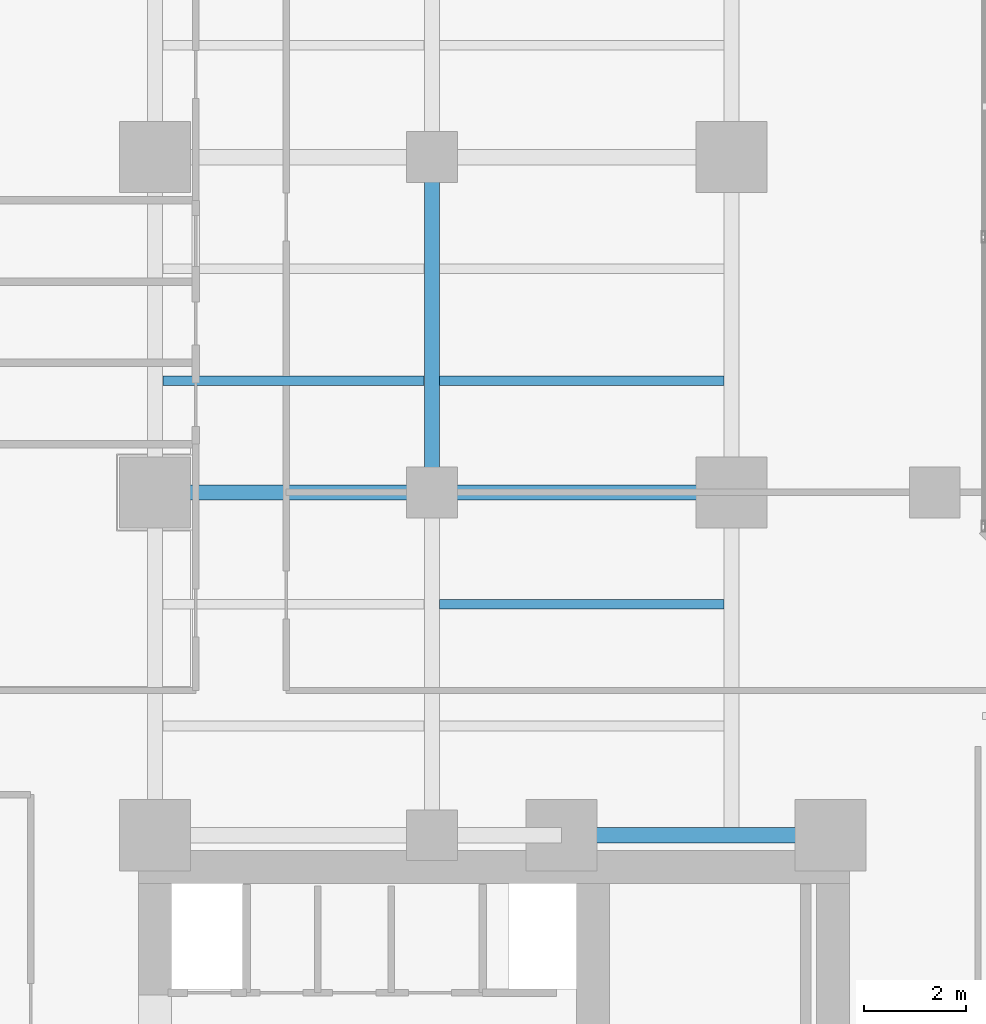
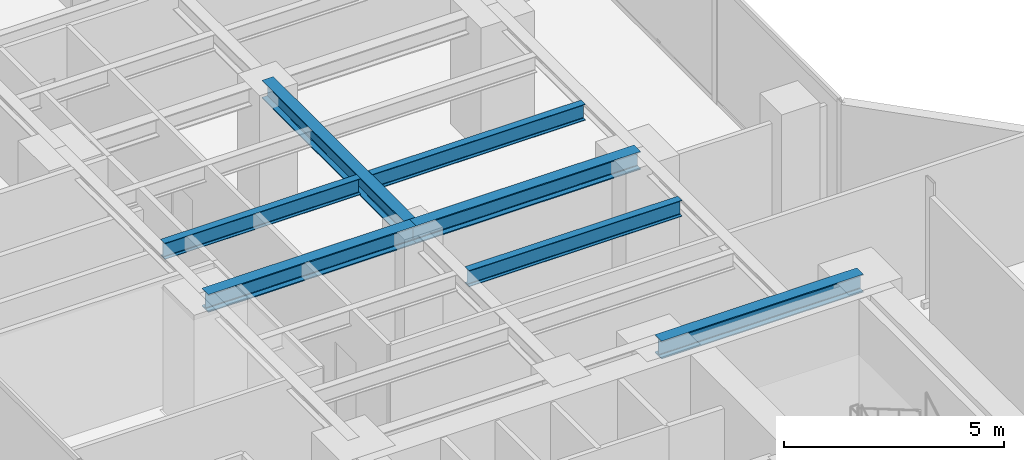
# One storey, part 8 of 25: 7 beams.
"""IFC4 building model written with IfcOpenShell, lengths in metres."""

from ifc_helpers import new_model, si_unit, direction, frame, origin, origin_2d, place, context, subcontext, project, spatial, i_section, extrude, material, material_profile, profile_set, type_object, element, save


model = new_model("IFC4")

# Units and contexts
model_context = context("Model", 3, precision=1e-05, world=origin(), true_north=direction((0.0, 1.0)))
body_context = subcontext(model_context, "Body", "Model", "MODEL_VIEW")
ifc_project = project(units=[si_unit("LENGTHUNIT", "METRE"), si_unit("AREAUNIT", "SQUARE_METRE"), si_unit("VOLUMEUNIT", "CUBIC_METRE"), si_unit("PLANEANGLEUNIT", "RADIAN"), si_unit("MASSUNIT", "GRAM", prefix="KILO")], contexts=[model_context])

# Site, building, storey
site_placement = place(None, origin())
site = spatial("IfcSite", under=ifc_project, at=site_placement, CompositionType="ELEMENT")
building_placement = place(site_placement, origin())
building = spatial("IfcBuilding", under=site, at=building_placement, Name="Kolvaren Waterfront Exchange", CompositionType="ELEMENT")
storey_placement = place(building_placement, frame((0.0, 0.0, 106.89990234375)))
storey = spatial("IfcBuildingStorey", under=building, at=storey_placement, Name="L27", CompositionType="ELEMENT", Elevation=106.89990234375)

# Beams
ifc_material = material(Name="Steel S355", Category="steel")
ifc_material_profile_1 = material_profile(ifc_material, i_section(OverallWidth=0.300048828125, OverallDepth=0.5, WebThickness=0.014404296875, FlangeThickness=0.028076171875, FilletRadius=0.027099609375, at=origin_2d()), Name="HEB500")
ifc_profile_set_1 = profile_set([ifc_material_profile_1], Name="Steel S355")
beam_type_1 = type_object("IfcBeamType", Name="STR-BM-HEB500", PredefinedType="BEAM", material=ifc_profile_set_1)
beam_1_placement = place(storey_placement, frame((15.449951171875, 24.449951171875, 3.25), z_axis=(1.0, 0.0, 0.0), x_axis=(0.0, 1.0, 0.0)))
element("IfcBeam", 1, at=beam_1_placement, inside=storey, type_object=beam_type_1, Name="L27 north-arm girder 1C", PredefinedType="BEAM", context=body_context, shape_type="SweptSolid", body=[
    extrude(i_section(OverallWidth=0.300048828125, OverallDepth=0.5, WebThickness=0.014404296875, FlangeThickness=0.028076171875, FilletRadius=0.027099609375, at=origin_2d()), origin(), (0.0, 0.0, 1.0), 5.300048828125),
])
beam_2_placement = place(storey_placement, frame((7.449951171875, 31.199951171875, 3.25), z_axis=(1.0, 0.0, 0.0), x_axis=(0.0, 1.0, 0.0)))
element("IfcBeam", 2, at=beam_2_placement, inside=storey, type_object=beam_type_1, Name="L27 north-arm girder 2A", PredefinedType="BEAM", context=body_context, shape_type="SweptSolid", body=[
    extrude(i_section(OverallWidth=0.300048828125, OverallDepth=0.5, WebThickness=0.014404296875, FlangeThickness=0.028076171875, FilletRadius=0.027099609375, at=origin_2d()), origin(), (0.0, 0.0, 1.0), 5.449951171875),
])
beam_3_placement = place(storey_placement, frame((12.89990234375, 31.199951171875, 3.25), z_axis=(1.0, 0.0, 0.0), x_axis=(0.0, 1.0, 0.0)))
element("IfcBeam", 3, at=beam_3_placement, inside=storey, type_object=beam_type_1, Name="L27 north-arm girder 2B", PredefinedType="BEAM", context=body_context, shape_type="SweptSolid", body=[
    extrude(i_section(OverallWidth=0.300048828125, OverallDepth=0.5, WebThickness=0.014404296875, FlangeThickness=0.028076171875, FilletRadius=0.027099609375, at=origin_2d()), origin(), (0.0, 0.0, 1.0), 5.900146484375),
])
beam_4_placement = place(storey_placement, frame((12.89990234375, 31.199951171875, 3.25), z_axis=(0.0, 1.0, 0.0), x_axis=(-1.0, 0.0, 0.0)))
element("IfcBeam", 4, at=beam_4_placement, inside=storey, type_object=beam_type_1, Name="L27 north-arm edge beam 2", PredefinedType="BEAM", context=body_context, shape_type="SweptSolid", body=[
    extrude(i_section(OverallWidth=0.300048828125, OverallDepth=0.5, WebThickness=0.014404296875, FlangeThickness=0.028076171875, FilletRadius=0.027099609375, at=origin_2d()), origin(), (0.0, 0.0, 1.0), 6.60009765625),
])
ifc_material_profile_2 = material_profile(ifc_material, i_section(OverallWidth=0.18994140625, OverallDepth=0.449951171875, WebThickness=0.009521484375, FlangeThickness=0.0146484375, FilletRadius=0.02099609375, at=origin_2d()), Name="IPE450")
ifc_profile_set_2 = profile_set([ifc_material_profile_2], Name="Steel S355")
beam_type_2 = type_object("IfcBeamType", Name="STR-BM-IPE450", PredefinedType="JOIST", material=ifc_profile_set_2)
beam_5_placement = place(storey_placement, frame((13.052001953125, 29.0, 3.275146484375), z_axis=(1.0, 0.0, 0.0), x_axis=(0.0, 1.0, 0.0)))
element("IfcBeam", 5, at=beam_5_placement, inside=storey, type_object=beam_type_2, Name="L27 north-arm composite joist 2B", PredefinedType="JOIST", context=body_context, shape_type="SweptSolid", body=[
    extrude(i_section(OverallWidth=0.18994140625, OverallDepth=0.449951171875, WebThickness=0.009521484375, FlangeThickness=0.0146484375, FilletRadius=0.02099609375, at=origin_2d()), origin(), (0.0, 0.0, 1.0), 5.595947265625),
])
beam_6_placement = place(storey_placement, frame((7.60205078125, 33.39990234375, 3.275146484375), z_axis=(1.0, 0.0, 0.0), x_axis=(0.0, 1.0, 0.0)))
element("IfcBeam", 6, at=beam_6_placement, inside=storey, type_object=beam_type_2, Name="L27 north-arm composite joist 3A", PredefinedType="JOIST", context=body_context, shape_type="SweptSolid", body=[
    extrude(i_section(OverallWidth=0.18994140625, OverallDepth=0.449951171875, WebThickness=0.009521484375, FlangeThickness=0.0146484375, FilletRadius=0.02099609375, at=origin_2d()), origin(), (0.0, 0.0, 1.0), 5.14599609375),
])
beam_7_placement = place(storey_placement, frame((13.052001953125, 33.39990234375, 3.275146484375), z_axis=(1.0, 0.0, 0.0), x_axis=(0.0, 1.0, 0.0)))
element("IfcBeam", 7, at=beam_7_placement, inside=storey, type_object=beam_type_2, Name="L27 north-arm composite joist 3B", PredefinedType="JOIST", context=body_context, shape_type="SweptSolid", body=[
    extrude(i_section(OverallWidth=0.18994140625, OverallDepth=0.449951171875, WebThickness=0.009521484375, FlangeThickness=0.0146484375, FilletRadius=0.02099609375, at=origin_2d()), origin(), (0.0, 0.0, 1.0), 5.595947265625),
])

save(model, "model.ifc")
